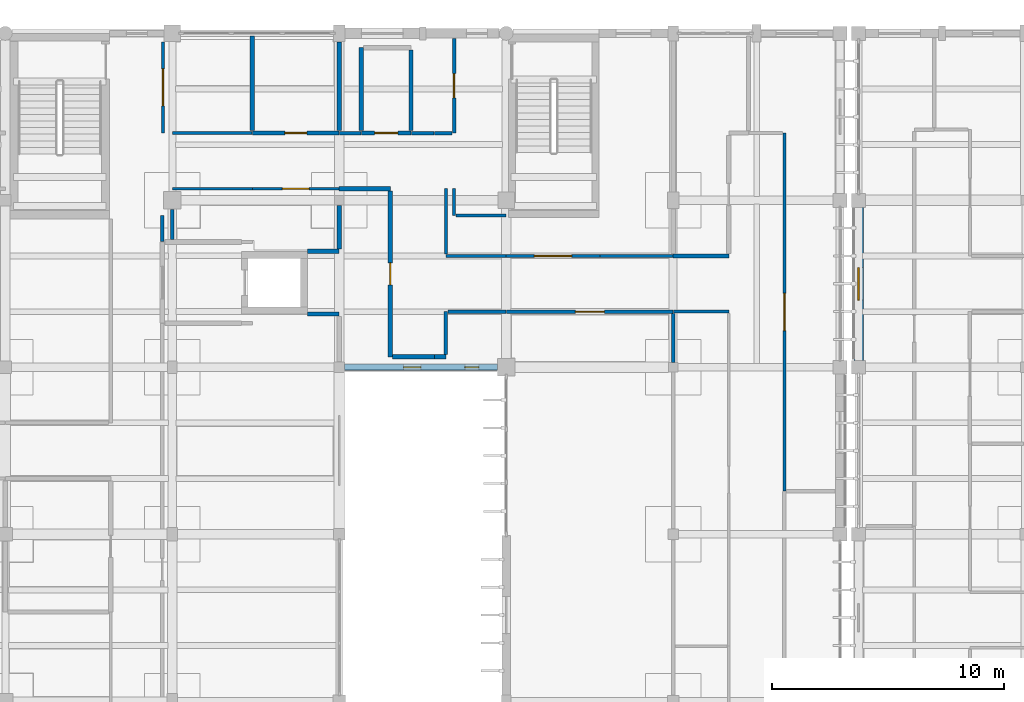
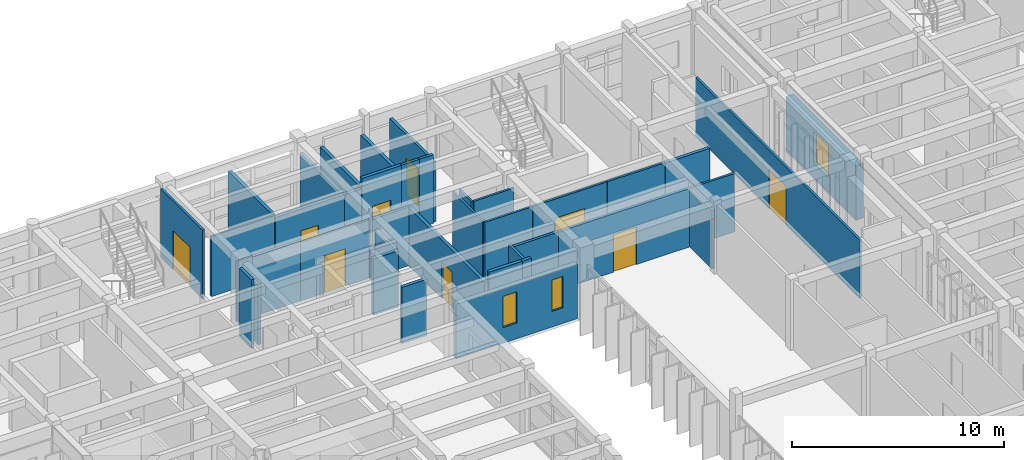
# One storey, part 41 of 55: 38 walls, 9 doors, 3 windows, 12 openings.
"""IFC4 building model written with IfcOpenShell, lengths in metres."""

from ifc_helpers import new_model, si_unit, direction, frame, frame_2d, origin, place, context, subcontext, project, spatial, rectangle, extrude, material, layer, layer_set, type_object, element, fill, save


model = new_model("IFC4")

# Units and contexts
model_context = context("Model", 3, precision=1e-05, world=origin(), true_north=direction((0.0, 1.0)))
body_context = subcontext(model_context, "Body", "Model", "MODEL_VIEW")
ifc_project = project(units=[si_unit("LENGTHUNIT", "METRE"), si_unit("AREAUNIT", "SQUARE_METRE"), si_unit("VOLUMEUNIT", "CUBIC_METRE"), si_unit("PLANEANGLEUNIT", "RADIAN"), si_unit("MASSUNIT", "GRAM", prefix="KILO")], contexts=[model_context])

# Site, building, storey
site_placement = place(None, origin())
site = spatial("IfcSite", under=ifc_project, at=site_placement, CompositionType="ELEMENT")
building_placement = place(site_placement, origin())
building = spatial("IfcBuilding", under=site, at=building_placement, Name="Steenspoor Specialist Clinic", CompositionType="ELEMENT")
storey_placement = place(building_placement, frame((0.0, 0.0, 13.199951171875)))
storey = spatial("IfcBuildingStorey", under=building, at=storey_placement, Name="L03", CompositionType="ELEMENT", Elevation=13.199951171875)

# Wall, opening, window
ifc_material_1 = material(Name="Extruded clay brick masonry", Category="masonry")
ifc_layer_1 = layer(ifc_material_1, 0.409912109375)
ifc_layer_set_1 = layer_set([ifc_layer_1], Name="Extruded clay brick masonry")
wall_type_1 = type_object("IfcWallType", Name="W-BRICK-410", PredefinedType="USERDEFINED", material=ifc_layer_set_1)
wall_1_placement = place(storey_placement, frame((118.0, 94.25, 0.0), z_axis=(0.0, 0.0, 1.0), x_axis=(0.0, 1.0, 0.0)))
wall_1 = element("IfcWall", 1, at=wall_1_placement, inside=storey, type_object=wall_type_1, Name="Exterior Brick Wall EW-V6-L03-0342", ObjectType="CAVITY VENEER", PredefinedType="USERDEFINED", context=body_context, shape_type="SweptSolid", body=[
    extrude(rectangle(XDim=6.60009765625, YDim=0.409912109375, at=frame_2d((3.300048828125, 0.0))), origin(), (0.0, 0.0, 1.0), 3.130126953125),
])
opening_1_placement = place(wall_1_placement, frame((2.60009765625, 0.0, 0.89990234375)))
opening_1 = element("IfcOpeningElement", 2, at=opening_1_placement, cuts=wall_1, Name="Opening WN-06", PredefinedType="OPENING", context=body_context, shape_type="SweptSolid", body=[
    extrude(rectangle(XDim=1.39990234375, YDim=1.800048828125, at=frame_2d((0.699951171875, 0.89990234375))), frame((0.0, 0.21484375, 0.0), z_axis=(0.0, -1.0, 0.0), x_axis=(1.0, 0.0, 0.0)), (0.0, 0.0, 1.0), 0.429931640625),
])
ifc_material_2 = material(Name="Thermally broken aluminium and low-emissivity glass", Category="aluminium")
window_type_1 = type_object("IfcWindowType", Name="WN-EXT-140X180", PartitioningType="SINGLE_PANEL", PredefinedType="WINDOW", material=ifc_material_2)
window_1_placement = place(opening_1_placement, origin())
window_1 = element("IfcWindow", 3, at=window_1_placement, inside=storey, type_object=window_type_1, Name="Window 0363", OverallHeight=1.800048828125, OverallWidth=1.39990234375, PartitioningType="SINGLE_PANEL", PredefinedType="WINDOW", context=body_context, shape_type="SweptSolid", body=[
    extrude(rectangle(XDim=1.39990234375, YDim=1.800048828125, at=frame_2d((0.699951171875, 0.89990234375))), frame((0.0, 0.030029296875, 0.0), z_axis=(0.0, -1.0, 0.0), x_axis=(1.0, 0.0, 0.0)), (0.0, 0.0, 1.0), 0.06005859375),
])
fill(opening_1, window_1)

# Walls
ifc_material_3 = material(Name="Gypsum acoustic clinical partition", Category="gypsum")
ifc_layer_2 = layer(ifc_material_3, 0.14990234375)
ifc_layer_set_2 = layer_set([ifc_layer_2], Name="Gypsum acoustic clinical partition")
wall_type_2 = type_object("IfcWallType", Name="W-CLIN-150", PredefinedType="PARTITIONING", material=ifc_layer_set_2)
wall_2_placement = place(storey_placement, frame((100.199951171875, 94.5048828125, 0.0), z_axis=(0.0, 0.0, 1.0), x_axis=(0.0, 1.0, 0.0)))
element("IfcWall", 4, at=wall_2_placement, inside=storey, type_object=wall_type_2, Name="Interior Partition IW-V4-L03-1564", PredefinedType="PARTITIONING", context=body_context, shape_type="SweptSolid", body=[
    extrude(rectangle(XDim=1.84521484375, YDim=0.14990234375, at=frame_2d((0.922607421875, 0.0))), origin(), (0.0, 0.0, 1.0), 3.51513671875),
])
wall_3_placement = place(storey_placement, frame((100.2900390625, 96.35009765625, 0.0), z_axis=(0.0, 0.0, 1.0), x_axis=(1.0, 0.0, 0.0)))
element("IfcWall", 5, at=wall_3_placement, inside=storey, type_object=wall_type_2, Name="Interior Partition IW-V4-L03-1565", PredefinedType="PARTITIONING", context=body_context, shape_type="SweptSolid", body=[
    extrude(rectangle(XDim=2.510009765625, YDim=0.14990234375, at=frame_2d((1.2548828125, 0.0))), origin(), (0.0, 0.0, 1.0), 3.35498046875),
])

# Wall, opening, door
wall_4_placement = place(storey_placement, frame((102.81494140625, 96.35009765625, 0.0), z_axis=(0.0, 0.0, 1.0), x_axis=(1.0, 0.0, 0.0)))
wall_4 = element("IfcWall", 6, at=wall_4_placement, inside=storey, type_object=wall_type_2, Name="Interior Partition IW-V4-L03-1566", PredefinedType="PARTITIONING", context=body_context, shape_type="SweptSolid", body=[
    extrude(rectangle(XDim=7.18505859375, YDim=0.14990234375, at=frame_2d((3.592529296875, 0.0))), origin(), (0.0, 0.0, 1.0), 3.35498046875),
])
opening_2_placement = place(wall_4_placement, frame((2.967529296875, 0.0, 0.0)))
opening_2 = element("IfcOpeningElement", 7, at=opening_2_placement, cuts=wall_4, Name="Opening D0260", PredefinedType="OPENING", context=body_context, shape_type="SweptSolid", body=[
    extrude(rectangle(XDim=1.25, YDim=2.14990234375, at=frame_2d((0.625, 1.074951171875))), frame((0.0, 0.0849609375, 0.0), z_axis=(0.0, -1.0, 0.0), x_axis=(1.0, 0.0, 0.0)), (0.0, 0.0, 1.0), 0.169921875),
])
ifc_material_4 = material(Name="Hygienic HPL clinical timber door", Category="wood")
door_type_1 = type_object("IfcDoorType", Name="DT-EXAM-125X215", OperationType="NOTDEFINED", PredefinedType="DOOR", material=ifc_material_4)
door_1_placement = place(opening_2_placement, origin())
door_1 = element("IfcDoor", 8, at=door_1_placement, inside=storey, type_object=door_type_1, Name="Clinical Door D0260", OperationType="SINGLE_SWING_LEFT", OverallHeight=2.14990234375, OverallWidth=1.25, PredefinedType="DOOR", context=body_context, shape_type="SweptSolid", body=[
    extrude(rectangle(XDim=1.25, YDim=2.14990234375, at=frame_2d((0.625, 1.074951171875))), frame((0.0, 0.02490234375, 0.0), z_axis=(0.0, -1.0, 0.0), x_axis=(1.0, 0.0, 0.0)), (0.0, 0.0, 1.0), 0.050048828125),
])
fill(opening_2, door_1)

# Wall
wall_5_placement = place(storey_placement, frame((87.969970703125, 99.364990234375, 0.0), z_axis=(0.0, 0.0, 1.0), x_axis=(0.0, 1.0, 0.0)))
element("IfcWall", 9, at=wall_5_placement, inside=storey, type_object=wall_type_2, Name="Interior Partition IW-V4-L03-1572", PredefinedType="PARTITIONING", context=body_context, shape_type="SweptSolid", body=[
    extrude(rectangle(XDim=1.135009765625, YDim=0.14990234375, at=frame_2d((0.5673828125, 0.0))), origin(), (0.0, 0.0, 1.0), 3.949951171875),
])

# Wall, opening, door
wall_6_placement = place(storey_placement, frame((100.550048828125, 104.050048828125, 0.0), z_axis=(0.0, 0.0, 1.0), x_axis=(0.0, 1.0, 0.0)))
wall_6 = element("IfcWall", 10, at=wall_6_placement, inside=storey, type_object=wall_type_2, Name="Interior Partition IW-V4-L03-1587", PredefinedType="PARTITIONING", context=body_context, shape_type="SweptSolid", body=[
    extrude(rectangle(XDim=4.079833984375, YDim=0.14990234375, at=frame_2d((2.0400390625, 0.0))), origin(), (0.0, 0.0, 1.0), 3.51513671875),
])
opening_3_placement = place(wall_6_placement, frame((1.514892578125, 0.0, 0.0)))
opening_3 = element("IfcOpeningElement", 11, at=opening_3_placement, cuts=wall_6, Name="Opening D0286", PredefinedType="OPENING", context=body_context, shape_type="SweptSolid", body=[
    extrude(rectangle(XDim=1.050048828125, YDim=2.14990234375, at=frame_2d((0.52490234375, 1.074951171875))), frame((0.0, 0.0849609375, 0.0), z_axis=(0.0, -1.0, 0.0), x_axis=(1.0, 0.0, 0.0)), (0.0, 0.0, 1.0), 0.169921875),
])
ifc_material_5 = material(Name="Solid-core hardwood office door", Category="wood")
door_type_2 = type_object("IfcDoorType", Name="DT-OFF-105X215", OperationType="NOTDEFINED", PredefinedType="DOOR", material=ifc_material_5)
door_2_placement = place(opening_3_placement, origin())
door_2 = element("IfcDoor", 12, at=door_2_placement, inside=storey, type_object=door_type_2, Name="Clinical Door D0286", OperationType="SINGLE_SWING_LEFT", OverallHeight=2.14990234375, OverallWidth=1.050048828125, PredefinedType="DOOR", context=body_context, shape_type="SweptSolid", body=[
    extrude(rectangle(XDim=1.050048828125, YDim=2.14990234375, at=frame_2d((0.52490234375, 1.074951171875))), frame((0.0, 0.02490234375, 0.0), z_axis=(0.0, -1.0, 0.0), x_axis=(1.0, 0.0, 0.0)), (0.0, 0.0, 1.0), 0.050048828125),
])
fill(opening_3, door_2)

# Walls
wall_7_placement = place(storey_placement, frame((99.699951171875, 104.050048828125, 0.0), z_axis=(0.0, 0.0, 1.0), x_axis=(1.0, 0.0, 0.0)))
element("IfcWall", 13, at=wall_7_placement, inside=storey, type_object=wall_type_2, Name="Interior Partition IW-V4-L03-1588", PredefinedType="PARTITIONING", context=body_context, shape_type="SweptSolid", body=[
    extrude(rectangle(XDim=0.760009765625, YDim=0.14990234375, at=frame_2d((0.3798828125, 0.0))), origin(), (0.0, 0.0, 1.0), 3.949951171875),
])
wall_8_placement = place(storey_placement, frame((98.715087890625, 104.050048828125, 0.0), z_axis=(0.0, 0.0, 1.0), x_axis=(1.0, 0.0, 0.0)))
element("IfcWall", 14, at=wall_8_placement, inside=storey, type_object=wall_type_2, Name="Interior Partition IW-V4-L03-1589", PredefinedType="PARTITIONING", context=body_context, shape_type="SweptSolid", body=[
    extrude(rectangle(XDim=0.969970703125, YDim=0.14990234375, at=frame_2d((0.48486328125, 0.0))), origin(), (0.0, 0.0, 1.0), 3.949951171875),
])
wall_9_placement = place(storey_placement, frame((95.614990234375, 104.050048828125, 0.0), z_axis=(0.0, 0.0, 1.0), x_axis=(1.0, 0.0, 0.0)))
element("IfcWall", 15, at=wall_9_placement, inside=storey, type_object=wall_type_2, Name="Interior Partition IW-V4-L03-1590", PredefinedType="PARTITIONING", context=body_context, shape_type="SweptSolid", body=[
    extrude(rectangle(XDim=0.919921875, YDim=0.14990234375, at=frame_2d((0.4599609375, 0.0))), origin(), (0.0, 0.0, 1.0), 3.35498046875),
])
wall_10_placement = place(storey_placement, frame((110.0, 94.1650390625, 0.0), z_axis=(0.0, 0.0, 1.0), x_axis=(0.0, 1.0, 0.0)))
element("IfcWall", 16, at=wall_10_placement, inside=storey, type_object=wall_type_2, Name="Interior Partition IW-V4-L03-1732", PredefinedType="PARTITIONING", context=body_context, shape_type="SweptSolid", body=[
    extrude(rectangle(XDim=2.094970703125, YDim=0.14990234375, at=frame_2d((1.04736328125, 0.0))), origin(), (0.0, 0.0, 1.0), 3.35498046875),
])
wall_11_placement = place(storey_placement, frame((88.39990234375, 99.465087890625, 0.0), z_axis=(0.0, 0.0, 1.0), x_axis=(0.0, 1.0, 0.0)))
element("IfcWall", 17, at=wall_11_placement, inside=storey, type_object=wall_type_2, Name="Interior Partition IW-V4-L03-1735", PredefinedType="PARTITIONING", context=body_context, shape_type="SweptSolid", body=[
    extrude(rectangle(XDim=1.294921875, YDim=0.14990234375, at=frame_2d((0.6474609375, 0.0))), origin(), (0.0, 0.0, 1.0), 3.4150390625),
])
ifc_material_6 = material(Name="Gypsum studio partition board", Category="gypsum")
ifc_layer_3 = layer(ifc_material_6, 0.1201171875)
ifc_layer_set_3 = layer_set([ifc_layer_3], Name="Gypsum studio partition board")
wall_type_3 = type_object("IfcWallType", Name="W-PART-120", PredefinedType="PARTITIONING", material=ifc_layer_set_3)
wall_12_placement = place(storey_placement, frame((110.014892578125, 96.35009765625, 0.0), z_axis=(0.0, 0.0, 1.0), x_axis=(1.0, 0.0, 0.0)))
element("IfcWall", 18, at=wall_12_placement, inside=storey, type_object=wall_type_3, Name="Interior Partition IW-V4-L03-1643", PredefinedType="PARTITIONING", context=body_context, shape_type="SweptSolid", body=[
    extrude(rectangle(XDim=2.385009765625, YDim=0.1201171875, at=frame_2d((1.1923828125, 0.0))), origin(), (0.0, 0.0, 1.0), 3.35498046875),
])

# Wall, opening, door
wall_13_placement = place(storey_placement, frame((114.800048828125, 88.614990234375, 0.0), z_axis=(0.0, 0.0, 1.0), x_axis=(0.0, 1.0, 0.0)))
wall_13 = element("IfcWall", 19, at=wall_13_placement, inside=storey, type_object=wall_type_3, Name="Interior Partition IW-V4-L03-1646", PredefinedType="PARTITIONING", context=body_context, shape_type="SweptSolid", body=[
    extrude(rectangle(XDim=15.43505859375, YDim=0.1201171875, at=frame_2d((7.717529296875, 0.0))), origin(), (0.0, 0.0, 1.0), 3.35498046875),
])
opening_4_placement = place(wall_13_placement, frame((6.91748046875, 0.0, 0.0)))
opening_4 = element("IfcOpeningElement", 20, at=opening_4_placement, cuts=wall_13, Name="Opening D0271", PredefinedType="OPENING", context=body_context, shape_type="SweptSolid", body=[
    extrude(rectangle(XDim=1.60009765625, YDim=2.25, at=frame_2d((0.800048828125, 1.125))), frame((0.0, 0.070068359375, 0.0), z_axis=(0.0, -1.0, 0.0), x_axis=(1.0, 0.0, 0.0)), (0.0, 0.0, 1.0), 0.14013671875),
])
door_type_3 = type_object("IfcDoorType", Name="DT-PROC-160X225", OperationType="NOTDEFINED", PredefinedType="DOOR", material=ifc_material_4)
door_3_placement = place(opening_4_placement, origin())
door_3 = element("IfcDoor", 21, at=door_3_placement, inside=storey, type_object=door_type_3, Name="Clinical Door D0271", OperationType="SINGLE_SWING_RIGHT", OverallHeight=2.25, OverallWidth=1.60009765625, PredefinedType="DOOR", context=body_context, shape_type="SweptSolid", body=[
    extrude(rectangle(XDim=1.60009765625, YDim=2.25, at=frame_2d((0.800048828125, 1.125))), frame((0.0, 0.02490234375, 0.0), z_axis=(0.0, -1.0, 0.0), x_axis=(1.0, 0.0, 0.0)), (0.0, 0.0, 1.0), 0.050048828125),
])
fill(opening_4, door_3)

# Walls
wall_14_placement = place(storey_placement, frame((100.550048828125, 100.5, 0.0), z_axis=(0.0, 0.0, 1.0), x_axis=(0.0, 1.0, 0.0)))
element("IfcWall", 22, at=wall_14_placement, inside=storey, type_object=wall_type_3, Name="Interior Partition IW-V4-L03-1659", PredefinedType="PARTITIONING", context=body_context, shape_type="SweptSolid", body=[
    extrude(rectangle(XDim=1.14990234375, YDim=0.1201171875, at=frame_2d((0.574951171875, 0.0))), origin(), (0.0, 0.0, 1.0), 3.35498046875),
])
wall_15_placement = place(storey_placement, frame((100.625, 100.5, 0.0), z_axis=(0.0, 0.0, 1.0), x_axis=(1.0, 0.0, 0.0)))
element("IfcWall", 23, at=wall_15_placement, inside=storey, type_object=wall_type_3, Name="Interior Partition IW-V4-L03-1660", PredefinedType="PARTITIONING", context=body_context, shape_type="SweptSolid", body=[
    extrude(rectangle(XDim=2.175048828125, YDim=0.1201171875, at=frame_2d((1.08740234375, 0.0))), origin(), (0.0, 0.0, 1.0), 3.35498046875),
])
wall_16_placement = place(storey_placement, frame((106.85009765625, 98.75, 0.0), z_axis=(0.0, 0.0, 1.0), x_axis=(1.0, 0.0, 0.0)))
element("IfcWall", 24, at=wall_16_placement, inside=storey, type_object=wall_type_3, Name="Interior Partition IW-V4-L03-1661", PredefinedType="PARTITIONING", context=body_context, shape_type="SweptSolid", body=[
    extrude(rectangle(XDim=3.135009765625, YDim=0.1201171875, at=frame_2d((1.5673828125, 0.0))), origin(), (0.0, 0.0, 1.0), 3.35498046875),
])

# Wall, opening, door
wall_17_placement = place(storey_placement, frame((102.800048828125, 98.75, 0.0), z_axis=(0.0, 0.0, 1.0), x_axis=(1.0, 0.0, 0.0)))
wall_17 = element("IfcWall", 25, at=wall_17_placement, inside=storey, type_object=wall_type_3, Name="Interior Partition IW-V4-L03-1662", PredefinedType="PARTITIONING", context=body_context, shape_type="SweptSolid", body=[
    extrude(rectangle(XDim=4.034912109375, YDim=0.1201171875, at=frame_2d((2.017578125, 0.0))), origin(), (0.0, 0.0, 1.0), 3.35498046875),
])
opening_5_placement = place(wall_17_placement, frame((1.217529296875, 0.0, 0.0)))
opening_5 = element("IfcOpeningElement", 26, at=opening_5_placement, cuts=wall_17, Name="Opening D0277", PredefinedType="OPENING", context=body_context, shape_type="SweptSolid", body=[
    extrude(rectangle(XDim=1.60009765625, YDim=2.25, at=frame_2d((0.800048828125, 1.125))), frame((0.0, 0.070068359375, 0.0), z_axis=(0.0, -1.0, 0.0), x_axis=(1.0, 0.0, 0.0)), (0.0, 0.0, 1.0), 0.14013671875),
])
door_4_placement = place(opening_5_placement, origin())
door_4 = element("IfcDoor", 27, at=door_4_placement, inside=storey, type_object=door_type_3, Name="Clinical Door D0277", OperationType="SINGLE_SWING_RIGHT", OverallHeight=2.25, OverallWidth=1.60009765625, PredefinedType="DOOR", context=body_context, shape_type="SweptSolid", body=[
    extrude(rectangle(XDim=1.60009765625, YDim=2.25, at=frame_2d((0.800048828125, 1.125))), frame((0.0, 0.02490234375, 0.0), z_axis=(0.0, -1.0, 0.0), x_axis=(1.0, 0.0, 0.0)), (0.0, 0.0, 1.0), 0.050048828125),
])
fill(opening_5, door_4)

# Walls
wall_18_placement = place(storey_placement, frame((100.199951171875, 98.75, 0.0), z_axis=(0.0, 0.0, 1.0), x_axis=(1.0, 0.0, 0.0)))
element("IfcWall", 28, at=wall_18_placement, inside=storey, type_object=wall_type_3, Name="Interior Partition IW-V4-L03-1663", PredefinedType="PARTITIONING", context=body_context, shape_type="SweptSolid", body=[
    extrude(rectangle(XDim=2.5849609375, YDim=0.1201171875, at=frame_2d((1.29248046875, 0.0))), origin(), (0.0, 0.0, 1.0), 3.35498046875),
])
wall_19_placement = place(storey_placement, frame((100.199951171875, 98.824951171875, 0.0), z_axis=(0.0, 0.0, 1.0), x_axis=(0.0, 1.0, 0.0)))
element("IfcWall", 29, at=wall_19_placement, inside=storey, type_object=wall_type_3, Name="Interior Partition IW-V4-L03-1664", PredefinedType="PARTITIONING", context=body_context, shape_type="SweptSolid", body=[
    extrude(rectangle(XDim=2.824951171875, YDim=0.1201171875, at=frame_2d((1.41259765625, 0.0))), origin(), (0.0, 0.0, 1.0), 3.35498046875),
])
wall_20_placement = place(storey_placement, frame((88.39990234375, 101.64990234375, 0.0), z_axis=(0.0, 0.0, 1.0), x_axis=(1.0, 0.0, 0.0)))
element("IfcWall", 30, at=wall_20_placement, inside=storey, type_object=wall_type_3, Name="Interior Partition IW-V4-L03-1665", PredefinedType="PARTITIONING", context=body_context, shape_type="SweptSolid", body=[
    extrude(rectangle(XDim=3.4501953125, YDim=0.1201171875, at=frame_2d((1.72509765625, 0.0))), origin(), (0.0, 0.0, 1.0), 3.455078125),
])

# Wall, opening, door
wall_21_placement = place(storey_placement, frame((91.864990234375, 101.64990234375, 0.0), z_axis=(0.0, 0.0, 1.0), x_axis=(1.0, 0.0, 0.0)))
wall_21 = element("IfcWall", 31, at=wall_21_placement, inside=storey, type_object=wall_type_3, Name="Interior Partition IW-V4-L03-1666", PredefinedType="PARTITIONING", context=body_context, shape_type="SweptSolid", body=[
    extrude(rectangle(XDim=3.719970703125, YDim=0.1201171875, at=frame_2d((1.85986328125, 0.0))), origin(), (0.0, 0.0, 1.0), 3.35498046875),
])
opening_6_placement = place(wall_21_placement, frame((1.284912109375, 0.0, 0.0)))
opening_6 = element("IfcOpeningElement", 32, at=opening_6_placement, cuts=wall_21, Name="Opening D0279", PredefinedType="OPENING", context=body_context, shape_type="SweptSolid", body=[
    extrude(rectangle(XDim=1.14990234375, YDim=2.14990234375, at=frame_2d((0.574951171875, 1.074951171875))), frame((0.0, 0.070068359375, 0.0), z_axis=(0.0, -1.0, 0.0), x_axis=(1.0, 0.0, 0.0)), (0.0, 0.0, 1.0), 0.14013671875),
])
ifc_material_7 = material(Name="Solid-core hardwood clinical door", Category="wood")
door_type_4 = type_object("IfcDoorType", Name="DT-CONS-115X215", OperationType="NOTDEFINED", PredefinedType="DOOR", material=ifc_material_7)
door_5_placement = place(opening_6_placement, origin())
door_5 = element("IfcDoor", 33, at=door_5_placement, inside=storey, type_object=door_type_4, Name="Clinical Door D0279", OperationType="SINGLE_SWING_RIGHT", OverallHeight=2.14990234375, OverallWidth=1.14990234375, PredefinedType="DOOR", context=body_context, shape_type="SweptSolid", body=[
    extrude(rectangle(XDim=1.14990234375, YDim=2.14990234375, at=frame_2d((0.574951171875, 1.074951171875))), frame((0.0, 0.02490234375, 0.0), z_axis=(0.0, -1.0, 0.0), x_axis=(1.0, 0.0, 0.0)), (0.0, 0.0, 1.0), 0.050048828125),
])
fill(opening_6, door_5)

wall_22_placement = place(storey_placement, frame((88.0, 104.050048828125, 0.0), z_axis=(0.0, 0.0, 1.0), x_axis=(0.0, 1.0, 0.0)))
wall_22 = element("IfcWall", 34, at=wall_22_placement, inside=storey, type_object=wall_type_3, Name="Interior Partition IW-V4-L03-1668", PredefinedType="PARTITIONING", context=body_context, shape_type="SweptSolid", body=[
    extrude(rectangle(XDim=3.93505859375, YDim=0.1201171875, at=frame_2d((1.967529296875, 0.0))), origin(), (0.0, 0.0, 1.0), 3.949951171875),
])
opening_7_placement = place(wall_22_placement, frame((1.16748046875, 0.0, 0.0)))
opening_7 = element("IfcOpeningElement", 35, at=opening_7_placement, cuts=wall_22, Name="Opening D0283", PredefinedType="OPENING", context=body_context, shape_type="SweptSolid", body=[
    extrude(rectangle(XDim=1.60009765625, YDim=2.25, at=frame_2d((0.800048828125, 1.125))), frame((0.0, 0.070068359375, 0.0), z_axis=(0.0, -1.0, 0.0), x_axis=(1.0, 0.0, 0.0)), (0.0, 0.0, 1.0), 0.14013671875),
])
door_6_placement = place(opening_7_placement, origin())
door_6 = element("IfcDoor", 36, at=door_6_placement, inside=storey, type_object=door_type_3, Name="Clinical Door D0283", OperationType="SINGLE_SWING_RIGHT", OverallHeight=2.25, OverallWidth=1.60009765625, PredefinedType="DOOR", context=body_context, shape_type="SweptSolid", body=[
    extrude(rectangle(XDim=1.60009765625, YDim=2.25, at=frame_2d((0.800048828125, 1.125))), frame((0.0, 0.02490234375, 0.0), z_axis=(0.0, -1.0, 0.0), x_axis=(1.0, 0.0, 0.0)), (0.0, 0.0, 1.0), 0.050048828125),
])
fill(opening_7, door_6)

# Wall
wall_23_placement = place(storey_placement, frame((88.39990234375, 104.050048828125, 0.0), z_axis=(0.0, 0.0, 1.0), x_axis=(1.0, 0.0, 0.0)))
element("IfcWall", 37, at=wall_23_placement, inside=storey, type_object=wall_type_3, Name="Interior Partition IW-V4-L03-1669", PredefinedType="PARTITIONING", context=body_context, shape_type="SweptSolid", body=[
    extrude(rectangle(XDim=3.43505859375, YDim=0.1201171875, at=frame_2d((1.717529296875, 0.0))), origin(), (0.0, 0.0, 1.0), 3.455078125),
])

# Wall, opening, door
ifc_material_8 = material(Name="Moisture-resistant gypsum plumbing wall", Category="gypsum")
ifc_layer_4 = layer(ifc_material_8, 0.179931640625)
ifc_layer_set_4 = layer_set([ifc_layer_4], Name="Moisture-resistant gypsum plumbing wall")
wall_type_4 = type_object("IfcWallType", Name="W-PLUMB-180", PredefinedType="PLUMBINGWALL", material=ifc_layer_set_4)
wall_24_placement = place(storey_placement, frame((96.550048828125, 104.050048828125, 0.0), z_axis=(0.0, 0.0, 1.0), x_axis=(1.0, 0.0, 0.0)))
wall_24 = element("IfcWall", 38, at=wall_24_placement, inside=storey, type_object=wall_type_4, Name="Interior Partition IW-V4-L03-1521", PredefinedType="PLUMBINGWALL", context=body_context, shape_type="SweptSolid", body=[
    extrude(rectangle(XDim=2.14990234375, YDim=0.179931640625, at=frame_2d((1.074951171875, 0.0))), origin(), (0.0, 0.0, 1.0), 3.949951171875),
])
opening_8_placement = place(wall_24_placement, frame((0.574951171875, 0.0, 0.0)))
opening_8 = element("IfcOpeningElement", 39, at=opening_8_placement, cuts=wall_24, Name="Opening D0285", PredefinedType="OPENING", context=body_context, shape_type="SweptSolid", body=[
    extrude(rectangle(XDim=1.0, YDim=2.14990234375, at=frame_2d((0.5, 1.074951171875))), frame((0.0, 0.10009765625, 0.0), z_axis=(0.0, -1.0, 0.0), x_axis=(1.0, 0.0, 0.0)), (0.0, 0.0, 1.0), 0.199951171875),
])
ifc_material_9 = material(Name="Moisture-resistant HPL accessible WC door", Category="wood")
door_type_5 = type_object("IfcDoorType", Name="DT-AWC-100X215", OperationType="NOTDEFINED", PredefinedType="DOOR", material=ifc_material_9)
door_7_placement = place(opening_8_placement, origin())
door_7 = element("IfcDoor", 40, at=door_7_placement, inside=storey, type_object=door_type_5, Name="Clinical Door D0285", OperationType="SINGLE_SWING_RIGHT", OverallHeight=2.14990234375, OverallWidth=1.0, PredefinedType="DOOR", context=body_context, shape_type="SweptSolid", body=[
    extrude(rectangle(XDim=1.0, YDim=2.14990234375, at=frame_2d((0.5, 1.074951171875))), frame((0.0, 0.02490234375, 0.0), z_axis=(0.0, -1.0, 0.0), x_axis=(1.0, 0.0, 0.0)), (0.0, 0.0, 1.0), 0.050048828125),
])
fill(opening_8, door_7)

# Walls
wall_25_placement = place(storey_placement, frame((96.550048828125, 104.155029296875, 0.0), z_axis=(0.0, 0.0, 1.0), x_axis=(0.0, 1.0, 0.0)))
element("IfcWall", 41, at=wall_25_placement, inside=storey, type_object=wall_type_4, Name="Interior Partition IW-V4-L03-1535", PredefinedType="PLUMBINGWALL", context=body_context, shape_type="SweptSolid", body=[
    extrude(rectangle(XDim=3.574951171875, YDim=0.179931640625, at=frame_2d((1.78759765625, 0.0))), origin(), (0.0, 0.0, 1.0), 3.51513671875),
])
wall_26_placement = place(storey_placement, frame((98.699951171875, 104.155029296875, 0.0), z_axis=(0.0, 0.0, 1.0), x_axis=(0.0, 1.0, 0.0)))
element("IfcWall", 42, at=wall_26_placement, inside=storey, type_object=wall_type_4, Name="Interior Partition IW-V4-L03-1537", PredefinedType="PLUMBINGWALL", context=body_context, shape_type="SweptSolid", body=[
    extrude(rectangle(XDim=3.469970703125, YDim=0.179931640625, at=frame_2d((1.73486328125, 0.0))), origin(), (0.0, 0.0, 1.0), 3.51513671875),
])
wall_27_placement = place(storey_placement, frame((95.60009765625, 101.64990234375, 0.0), z_axis=(0.0, 0.0, 1.0), x_axis=(1.0, 0.0, 0.0)))
element("IfcWall", 43, at=wall_27_placement, inside=storey, type_object=wall_type_4, Name="Interior Partition IW-V4-L03-1543", PredefinedType="PLUMBINGWALL", context=body_context, shape_type="SweptSolid", body=[
    extrude(rectangle(XDim=2.199951171875, YDim=0.179931640625, at=frame_2d((1.10009765625, 0.0))), origin(), (0.0, 0.0, 1.0), 3.35498046875),
])

# Wall, opening, door
wall_28_placement = place(storey_placement, frame((97.800048828125, 94.39990234375, 0.0), z_axis=(0.0, 0.0, 1.0), x_axis=(0.0, 1.0, 0.0)))
wall_28 = element("IfcWall", 44, at=wall_28_placement, inside=storey, type_object=wall_type_4, Name="Interior Partition IW-V4-L03-1544", PredefinedType="PLUMBINGWALL", context=body_context, shape_type="SweptSolid", body=[
    extrude(rectangle(XDim=7.14501953125, YDim=0.179931640625, at=frame_2d((3.572509765625, 0.0))), origin(), (0.0, 0.0, 1.0), 3.35498046875),
])
opening_9_placement = place(wall_28_placement, frame((3.097412109375, 0.0, 0.0)))
opening_9 = element("IfcOpeningElement", 45, at=opening_9_placement, cuts=wall_28, Name="Opening D0274", PredefinedType="OPENING", context=body_context, shape_type="SweptSolid", body=[
    extrude(rectangle(XDim=0.949951171875, YDim=2.10009765625, at=frame_2d((0.47509765625, 1.050048828125))), frame((0.0, 0.10009765625, 0.0), z_axis=(0.0, -1.0, 0.0), x_axis=(1.0, 0.0, 0.0)), (0.0, 0.0, 1.0), 0.199951171875),
])
ifc_material_10 = material(Name="Moisture-resistant HPL sanitary door", Category="wood")
door_type_6 = type_object("IfcDoorType", Name="DT-WC-095X210", OperationType="NOTDEFINED", PredefinedType="DOOR", material=ifc_material_10)
door_8_placement = place(opening_9_placement, origin())
door_8 = element("IfcDoor", 46, at=door_8_placement, inside=storey, type_object=door_type_6, Name="Clinical Door D0274", OperationType="SINGLE_SWING_LEFT", OverallHeight=2.10009765625, OverallWidth=0.949951171875, PredefinedType="DOOR", context=body_context, shape_type="SweptSolid", body=[
    extrude(rectangle(XDim=0.949951171875, YDim=2.10009765625, at=frame_2d((0.47509765625, 1.050048828125))), frame((0.0, 0.02490234375, 0.0), z_axis=(0.0, -1.0, 0.0), x_axis=(1.0, 0.0, 0.0)), (0.0, 0.0, 1.0), 0.050048828125),
])
fill(opening_9, door_8)

# Walls
wall_29_placement = place(storey_placement, frame((97.905029296875, 94.39990234375, 0.0), z_axis=(0.0, 0.0, 1.0), x_axis=(1.0, 0.0, 0.0)))
element("IfcWall", 47, at=wall_29_placement, inside=storey, type_object=wall_type_4, Name="Interior Partition IW-V4-L03-1545", PredefinedType="PLUMBINGWALL", context=body_context, shape_type="SweptSolid", body=[
    extrude(rectangle(XDim=1.794921875, YDim=0.179931640625, at=frame_2d((0.8974609375, 0.0))), origin(), (0.0, 0.0, 1.0), 3.949951171875),
])
wall_30_placement = place(storey_placement, frame((99.715087890625, 94.39990234375, 0.0), z_axis=(0.0, 0.0, 1.0), x_axis=(1.0, 0.0, 0.0)))
element("IfcWall", 48, at=wall_30_placement, inside=storey, type_object=wall_type_4, Name="Interior Partition IW-V4-L03-1546", PredefinedType="PLUMBINGWALL", context=body_context, shape_type="SweptSolid", body=[
    extrude(rectangle(XDim=0.48486328125, YDim=0.179931640625, at=frame_2d((0.242431640625, 0.0))), origin(), (0.0, 0.0, 1.0), 3.949951171875),
])
wall_31_placement = place(storey_placement, frame((110.0, 98.75, 0.0), z_axis=(0.0, 0.0, 1.0), x_axis=(1.0, 0.0, 0.0)))
element("IfcWall", 49, at=wall_31_placement, inside=storey, type_object=wall_type_4, Name="Interior Partition IW-V4-L03-1547", PredefinedType="PLUMBINGWALL", context=body_context, shape_type="SweptSolid", body=[
    extrude(rectangle(XDim=2.39990234375, YDim=0.179931640625, at=frame_2d((1.199951171875, 0.0))), origin(), (0.0, 0.0, 1.0), 3.35498046875),
])

# Wall, opening, door
wall_32_placement = place(storey_placement, frame((91.85009765625, 104.050048828125, 0.0), z_axis=(0.0, 0.0, 1.0), x_axis=(1.0, 0.0, 0.0)))
wall_32 = element("IfcWall", 50, at=wall_32_placement, inside=storey, type_object=wall_type_4, Name="Interior Partition IW-V4-L03-1552", PredefinedType="PLUMBINGWALL", context=body_context, shape_type="SweptSolid", body=[
    extrude(rectangle(XDim=3.75, YDim=0.179931640625, at=frame_2d((1.875, 0.0))), origin(), (0.0, 0.0, 1.0), 3.35498046875),
])
opening_10_placement = place(wall_32_placement, frame((1.39990234375, 0.0, 0.0)))
opening_10 = element("IfcOpeningElement", 51, at=opening_10_placement, cuts=wall_32, Name="Opening D0284", PredefinedType="OPENING", context=body_context, shape_type="SweptSolid", body=[
    extrude(rectangle(XDim=0.949951171875, YDim=2.10009765625, at=frame_2d((0.47509765625, 1.050048828125))), frame((0.0, 0.10009765625, 0.0), z_axis=(0.0, -1.0, 0.0), x_axis=(1.0, 0.0, 0.0)), (0.0, 0.0, 1.0), 0.199951171875),
])
door_9_placement = place(opening_10_placement, origin())
door_9 = element("IfcDoor", 52, at=door_9_placement, inside=storey, type_object=door_type_6, Name="Clinical Door D0284", OperationType="SINGLE_SWING_LEFT", OverallHeight=2.10009765625, OverallWidth=0.949951171875, PredefinedType="DOOR", context=body_context, shape_type="SweptSolid", body=[
    extrude(rectangle(XDim=0.949951171875, YDim=2.10009765625, at=frame_2d((0.47509765625, 1.050048828125))), frame((0.0, 0.02490234375, 0.0), z_axis=(0.0, -1.0, 0.0), x_axis=(1.0, 0.0, 0.0)), (0.0, 0.0, 1.0), 0.050048828125),
])
fill(opening_10, door_9)

# Walls
for number, where, z_axis, x_axis, name in (
    (53, (94.239990234375, 96.25, 0.0), (0.0, 0.0, 1.0), (1.0, 0.0, 0.0), "Interior Partition IW-V4-L03-1699"),
    (54, (94.239990234375, 98.949951171875, 0.0), (0.0, 0.0, 1.0), (1.0, 0.0, 0.0), "Interior Partition IW-V4-L03-1705"),
):
    element("IfcWall", number, at=place(storey_placement, frame(where, z_axis=z_axis, x_axis=x_axis)), inside=storey, type_object=wall_type_4, Name=name, PredefinedType="PLUMBINGWALL", context=body_context, shape_type="SweptSolid", body=[
        extrude(rectangle(XDim=1.360107421875, YDim=0.179931640625, at=frame_2d((0.68017578125, 0.0))), origin(), (0.0, 0.0, 1.0), 3.235107421875),
    ])
wall_33_placement = place(storey_placement, frame((95.60009765625, 99.054931640625, 0.0), z_axis=(0.0, 0.0, 1.0), x_axis=(0.0, 1.0, 0.0)))
element("IfcWall", 55, at=wall_33_placement, inside=storey, type_object=wall_type_4, Name="Interior Partition IW-V4-L03-1706", PredefinedType="PLUMBINGWALL", context=body_context, shape_type="SweptSolid", body=[
    extrude(rectangle(XDim=1.880126953125, YDim=0.179931640625, at=frame_2d((0.93994140625, 0.0))), origin(), (0.0, 0.0, 1.0), 3.235107421875),
])
wall_34_placement = place(storey_placement, frame((91.85009765625, 104.155029296875, 0.0), z_axis=(0.0, 0.0, 1.0), x_axis=(0.0, 1.0, 0.0)))
element("IfcWall", 56, at=wall_34_placement, inside=storey, type_object=wall_type_4, Name="Interior Partition IW-V4-L03-1712", PredefinedType="PLUMBINGWALL", context=body_context, shape_type="SweptSolid", body=[
    extrude(rectangle(XDim=4.090087890625, YDim=0.179931640625, at=frame_2d((2.044921875, 0.0))), origin(), (0.0, 0.0, 1.0), 3.47509765625),
])
wall_35_placement = place(storey_placement, frame((95.60009765625, 104.155029296875, 0.0), z_axis=(0.0, 0.0, 1.0), x_axis=(0.0, 1.0, 0.0)))
element("IfcWall", 57, at=wall_35_placement, inside=storey, type_object=wall_type_4, Name="Interior Partition IW-V4-L03-1713", PredefinedType="PLUMBINGWALL", context=body_context, shape_type="SweptSolid", body=[
    extrude(rectangle(XDim=3.830078125, YDim=0.179931640625, at=frame_2d((1.9150390625, 0.0))), origin(), (0.0, 0.0, 1.0), 3.35498046875),
])

# Wall, openings, windows
ifc_layer_5 = layer(ifc_material_1, 0.260009765625)
ifc_layer_set_5 = layer_set([ifc_layer_5], Name="Extruded clay brick masonry")
wall_type_5 = type_object("IfcWallType", Name="W-SCREEN-260", PredefinedType="SOLIDWALL", material=ifc_layer_set_5)
wall_36_placement = place(storey_placement, frame((102.425048828125, 93.949951171875, 0.0), z_axis=(0.0, 0.0, 1.0), x_axis=(-1.0, 0.0, 0.0)))
wall_36 = element("IfcWall", 58, at=wall_36_placement, inside=storey, type_object=wall_type_5, Name="Exterior Brick Wall EW-V4-L03-0180", PredefinedType="SOLIDWALL", context=body_context, shape_type="SweptSolid", body=[
    extrude(rectangle(XDim=6.60009765625, YDim=0.260009765625, at=frame_2d((3.300048828125, 0.0))), origin(), (0.0, 0.0, 1.0), 3.130126953125),
])
opening_11_placement = place(wall_36_placement, frame((0.802490234375, 0.0, 0.89990234375)))
opening_11 = element("IfcOpeningElement", 59, at=opening_11_placement, cuts=wall_36, Name="Opening WN-01", PredefinedType="OPENING", context=body_context, shape_type="SweptSolid", body=[
    extrude(rectangle(XDim=0.60009765625, YDim=1.800048828125, at=frame_2d((0.300048828125, 0.89990234375))), frame((0.0, 0.14013671875, 0.0), z_axis=(0.0, -1.0, 0.0), x_axis=(1.0, 0.0, 0.0)), (0.0, 0.0, 1.0), 0.280029296875),
])
opening_12_placement = place(wall_36_placement, frame((3.300048828125, 0.0, 0.89990234375)))
opening_12 = element("IfcOpeningElement", 60, at=opening_12_placement, cuts=wall_36, Name="Opening WN-02", PredefinedType="OPENING", context=body_context, shape_type="SweptSolid", body=[
    extrude(rectangle(XDim=0.75, YDim=1.800048828125, at=frame_2d((0.375, 0.89990234375))), frame((0.0, 0.14013671875, 0.0), z_axis=(0.0, -1.0, 0.0), x_axis=(1.0, 0.0, 0.0)), (0.0, 0.0, 1.0), 0.280029296875),
])
window_type_2 = type_object("IfcWindowType", Name="WN-EXT-060X180", PartitioningType="SINGLE_PANEL", PredefinedType="WINDOW", material=ifc_material_2)
window_2_placement = place(opening_11_placement, origin())
window_2 = element("IfcWindow", 61, at=window_2_placement, inside=storey, type_object=window_type_2, Name="Window 0206", OverallHeight=1.800048828125, OverallWidth=0.60009765625, PartitioningType="SINGLE_PANEL", PredefinedType="WINDOW", context=body_context, shape_type="SweptSolid", body=[
    extrude(rectangle(XDim=0.60009765625, YDim=1.800048828125, at=frame_2d((0.300048828125, 0.89990234375))), frame((0.0, 0.030029296875, 0.0), z_axis=(0.0, -1.0, 0.0), x_axis=(1.0, 0.0, 0.0)), (0.0, 0.0, 1.0), 0.06005859375),
])
fill(opening_11, window_2)
window_type_3 = type_object("IfcWindowType", Name="WN-EXT-075X180", PartitioningType="SINGLE_PANEL", PredefinedType="WINDOW", material=ifc_material_2)
window_3_placement = place(opening_12_placement, origin())
window_3 = element("IfcWindow", 62, at=window_3_placement, inside=storey, type_object=window_type_3, Name="Window 0207", OverallHeight=1.800048828125, OverallWidth=0.75, PartitioningType="SINGLE_PANEL", PredefinedType="WINDOW", context=body_context, shape_type="SweptSolid", body=[
    extrude(rectangle(XDim=0.75, YDim=1.800048828125, at=frame_2d((0.375, 0.89990234375))), frame((0.0, 0.030029296875, 0.0), z_axis=(0.0, -1.0, 0.0), x_axis=(1.0, 0.0, 0.0)), (0.0, 0.0, 1.0), 0.06005859375),
])
fill(opening_12, window_3)

save(model, "model.ifc")
